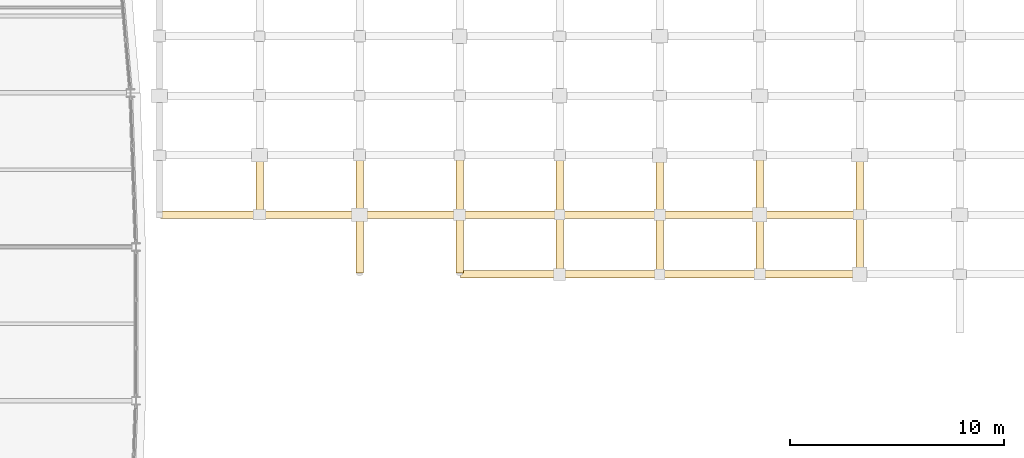
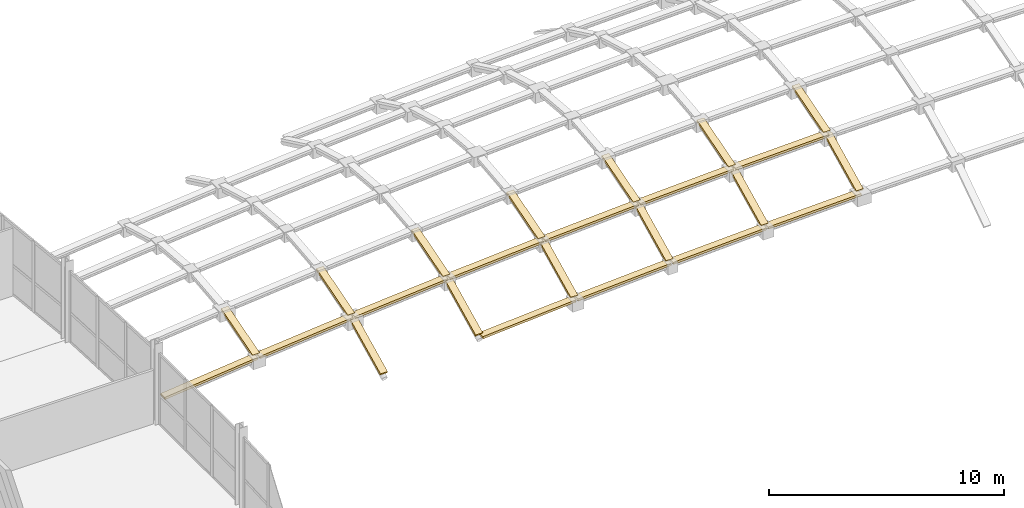
# One storey, part 31 of 36: 24 coverings.
"""IFC4 building model written with IfcOpenShell, lengths in metres."""

from ifc_helpers import new_model, si_unit, direction, frame, origin, place, context, subcontext, project, spatial, polyline, outline, extrude, material, layer, layer_set, type_object, element, save


model = new_model("IFC4")

# Units and contexts
model_context = context("Model", 3, precision=1e-05, world=origin(), true_north=direction((0.0, 1.0)))
body_context = subcontext(model_context, "Body", "Model", "MODEL_VIEW")
ifc_project = project(units=[si_unit("LENGTHUNIT", "METRE"), si_unit("AREAUNIT", "SQUARE_METRE"), si_unit("VOLUMEUNIT", "CUBIC_METRE"), si_unit("PLANEANGLEUNIT", "RADIAN"), si_unit("MASSUNIT", "GRAM", prefix="KILO")], contexts=[model_context])

# Site, building, storey
site_placement = place(None, origin())
site = spatial("IfcSite", under=ifc_project, at=site_placement, CompositionType="ELEMENT")
building_placement = place(site_placement, origin())
building = spatial("IfcBuilding", under=site, at=building_placement, Name="Quillay Park Conservatory", CompositionType="ELEMENT")
storey_placement = place(building_placement, frame((0.0, 0.0, 18.300048828125)))
storey = spatial("IfcBuildingStorey", under=building, at=storey_placement, Name="L04", CompositionType="ELEMENT", Elevation=18.300048828125)

# Coverings
ifc_material = material(Name="Thermally Broken Anodised Aluminium 6063-T6", Category="aluminium")
ifc_layer = layer(ifc_material, 0.090087890625)
ifc_layer_set = layer_set([ifc_layer], Name="GRIDSHELL GLAZING CAP BAR 90 (Thermally Broken Anodised Aluminium 6063-T6)")
covering_type = type_object("IfcCoveringType", Name="GRIDSHELL GLAZING CAP BAR 90", PredefinedType="CLADDING", material=ifc_layer_set)
covering_1_placement = place(storey_placement, frame((35.15283203125, 93.955078125, 0.55810546875), z_axis=(0.0, -0.285820564514, 0.958283154866), x_axis=(1.0, 0.0, 0.0)))
element("IfcCovering", 1, at=covering_1_placement, inside=storey, type_object=covering_type, Name="Gridshell Transverse Glazing Cap Bar 01-03", PredefinedType="CLADDING", context=body_context, shape_type="SweptSolid", body=[
    extrude(outline(polyline([(0.0, 0.0), (0.349853515625, 0.0), (0.349853515625, 2.801692213299037), (0.0, 2.801692213299037), (0.0, 0.0)])), origin(), (0.0, 0.0, -1.0), 0.1201171875),
])
covering_2_placement = place(storey_placement, frame((39.83056640625, 91.169921875, -0.36376953125), z_axis=(0.0, -0.441263645499, 0.897377509837), x_axis=(1.0, 0.0, 0.0)))
element("IfcCovering", 2, at=covering_2_placement, inside=storey, type_object=covering_type, Name="Gridshell Transverse Glazing Cap Bar 02-02", PredefinedType="CLADDING", context=body_context, shape_type="SweptSolid", body=[
    extrude(outline(polyline([(0.0, 0.0), (0.35009765625, 0.0), (0.35009765625, 2.9921171015732284), (0.0, 2.9921171015732284), (0.0, 0.0)])), origin(), (0.0, 0.0, -1.0), 0.1201171875),
])
covering_3_placement = place(storey_placement, frame((39.83056640625, 93.955078125, 0.99560546875), z_axis=(0.0, -0.285820564514, 0.958283154866), x_axis=(1.0, 0.0, 0.0)))
element("IfcCovering", 3, at=covering_3_placement, inside=storey, type_object=covering_type, Name="Gridshell Transverse Glazing Cap Bar 02-03", PredefinedType="CLADDING", context=body_context, shape_type="SweptSolid", body=[
    extrude(outline(polyline([(0.0, 0.0), (0.35009765625, 0.0), (0.35009765625, 2.8016922132990367), (0.0, 2.8016922132990367), (0.0, 0.0)])), origin(), (0.0, 0.0, -1.0), 0.1201171875),
])
covering_4_placement = place(storey_placement, frame((44.50830078125, 91.169921875, 0.01513671875), z_axis=(0.0, -0.441263645499, 0.897377509837), x_axis=(1.0, 0.0, 0.0)))
element("IfcCovering", 4, at=covering_4_placement, inside=storey, type_object=covering_type, Name="Gridshell Transverse Glazing Cap Bar 03-02", PredefinedType="CLADDING", context=body_context, shape_type="SweptSolid", body=[
    extrude(outline(polyline([(0.0, 0.0), (0.35009765625, 0.0), (0.35009765625, 2.9921171015732284), (0.0, 2.9921171015732284), (0.0, 0.0)])), origin(), (0.0, 0.0, -1.0), 0.1201171875),
])
covering_5_placement = place(storey_placement, frame((44.50830078125, 93.955078125, 1.37451171875), z_axis=(0.0, -0.285820564514, 0.958283154866), x_axis=(1.0, 0.0, 0.0)))
element("IfcCovering", 5, at=covering_5_placement, inside=storey, type_object=covering_type, Name="Gridshell Transverse Glazing Cap Bar 03-03", PredefinedType="CLADDING", context=body_context, shape_type="SweptSolid", body=[
    extrude(outline(polyline([(0.0, 0.0), (0.35009765625, 0.0), (0.35009765625, 2.8016922132990367), (0.0, 2.8016922132990367), (0.0, 0.0)])), origin(), (0.0, 0.0, -1.0), 0.1201171875),
])
covering_6_placement = place(storey_placement, frame((49.18603515625, 91.169921875, 0.33544921875), z_axis=(0.0, -0.441263645499, 0.897377509837), x_axis=(1.0, 0.0, 0.0)))
element("IfcCovering", 6, at=covering_6_placement, inside=storey, type_object=covering_type, Name="Gridshell Transverse Glazing Cap Bar 04-02", PredefinedType="CLADDING", context=body_context, shape_type="SweptSolid", body=[
    extrude(outline(polyline([(0.0, 0.0), (0.35009765625, 0.0), (0.35009765625, 2.9921171015732284), (0.0, 2.9921171015732284), (0.0, 0.0)])), origin(), (0.0, 0.0, -1.0), 0.1201171875),
])
covering_7_placement = place(storey_placement, frame((49.18603515625, 93.955078125, 1.69482421875), z_axis=(0.0, -0.285820564514, 0.958283154866), x_axis=(1.0, 0.0, 0.0)))
element("IfcCovering", 7, at=covering_7_placement, inside=storey, type_object=covering_type, Name="Gridshell Transverse Glazing Cap Bar 04-03", PredefinedType="CLADDING", context=body_context, shape_type="SweptSolid", body=[
    extrude(outline(polyline([(0.0, 0.0), (0.35009765625, 0.0), (0.35009765625, 2.8016922132990367), (0.0, 2.8016922132990367), (0.0, 0.0)])), origin(), (0.0, 0.0, -1.0), 0.1201171875),
])
covering_8_placement = place(storey_placement, frame((53.864013671875, 91.169921875, 0.59716796875), z_axis=(0.0, -0.441263645499, 0.897377509837), x_axis=(1.0, 0.0, 0.0)))
element("IfcCovering", 8, at=covering_8_placement, inside=storey, type_object=covering_type, Name="Gridshell Transverse Glazing Cap Bar 05-02", PredefinedType="CLADDING", context=body_context, shape_type="SweptSolid", body=[
    extrude(outline(polyline([(0.0, 0.0), (0.349853515625, 0.0), (0.349853515625, 2.9921171015732284), (0.0, 2.9921171015732284), (0.0, 0.0)])), origin(), (0.0, 0.0, -1.0), 0.1201171875),
])
covering_9_placement = place(storey_placement, frame((53.864013671875, 93.955078125, 1.95654296875), z_axis=(0.0, -0.285820564514, 0.958283154866), x_axis=(1.0, 0.0, 0.0)))
element("IfcCovering", 9, at=covering_9_placement, inside=storey, type_object=covering_type, Name="Gridshell Transverse Glazing Cap Bar 05-03", PredefinedType="CLADDING", context=body_context, shape_type="SweptSolid", body=[
    extrude(outline(polyline([(0.0, 0.0), (0.349853515625, 0.0), (0.349853515625, 2.801692213299037), (0.0, 2.801692213299037), (0.0, 0.0)])), origin(), (0.0, 0.0, -1.0), 0.1201171875),
])
covering_10_placement = place(storey_placement, frame((58.541748046875, 91.169921875, 0.80029296875), z_axis=(0.0, -0.441263645499, 0.897377509837), x_axis=(1.0, 0.0, 0.0)))
element("IfcCovering", 10, at=covering_10_placement, inside=storey, type_object=covering_type, Name="Gridshell Transverse Glazing Cap Bar 06-02", PredefinedType="CLADDING", context=body_context, shape_type="SweptSolid", body=[
    extrude(outline(polyline([(0.0, 0.0), (0.349853515625, 0.0), (0.349853515625, 2.9921171015732284), (0.0, 2.9921171015732284), (0.0, 0.0)])), origin(), (0.0, 0.0, -1.0), 0.1201171875),
])
covering_11_placement = place(storey_placement, frame((58.541748046875, 93.955078125, 2.15966796875), z_axis=(0.0, -0.285820564514, 0.958283154866), x_axis=(1.0, 0.0, 0.0)))
element("IfcCovering", 11, at=covering_11_placement, inside=storey, type_object=covering_type, Name="Gridshell Transverse Glazing Cap Bar 06-03", PredefinedType="CLADDING", context=body_context, shape_type="SweptSolid", body=[
    extrude(outline(polyline([(0.0, 0.0), (0.349853515625, 0.0), (0.349853515625, 2.801692213299037), (0.0, 2.801692213299037), (0.0, 0.0)])), origin(), (0.0, 0.0, -1.0), 0.1201171875),
])
covering_12_placement = place(storey_placement, frame((63.219482421875, 91.169921875, 0.94873046875), z_axis=(0.0, -0.441263645499, 0.897377509837), x_axis=(1.0, 0.0, 0.0)))
element("IfcCovering", 12, at=covering_12_placement, inside=storey, type_object=covering_type, Name="Gridshell Transverse Glazing Cap Bar 07-02", PredefinedType="CLADDING", context=body_context, shape_type="SweptSolid", body=[
    extrude(outline(polyline([(0.0, 0.0), (0.349853515625, 0.0), (0.349853515625, 2.9921171015732284), (0.0, 2.9921171015732284), (0.0, 0.0)])), origin(), (0.0, 0.0, -1.0), 0.1201171875),
])
covering_13_placement = place(storey_placement, frame((63.219482421875, 93.955078125, 2.30810546875), z_axis=(0.0, -0.285820564514, 0.958283154866), x_axis=(1.0, 0.0, 0.0)))
element("IfcCovering", 13, at=covering_13_placement, inside=storey, type_object=covering_type, Name="Gridshell Transverse Glazing Cap Bar 07-03", PredefinedType="CLADDING", context=body_context, shape_type="SweptSolid", body=[
    extrude(outline(polyline([(0.0, 0.0), (0.349853515625, 0.0), (0.349853515625, 2.801692213299037), (0.0, 2.801692213299037), (0.0, 0.0)])), origin(), (0.0, 0.0, -1.0), 0.1201171875),
])
covering_14_placement = place(storey_placement, frame((44.7333984375, 90.945068359375, -0.01220703125), z_axis=(-0.068108147653, 0.0, 0.99767794414), x_axis=(0.99767794414, 0.0, 0.068108147653)))
element("IfcCovering", 14, at=covering_14_placement, inside=storey, type_object=covering_type, Name="Gridshell Longitudinal Glazing Cap Bar 03-02", PredefinedType="CLADDING", context=body_context, shape_type="SweptSolid", body=[
    extrude(outline(polyline([(0.0, 0.0), (4.588290986723518, 0.0), (4.588290986723518, 0.349853515625), (0.0, 0.349853515625), (0.0, 0.0)])), origin(), (0.0, 0.0, -1.0), 0.1201171875),
])
covering_15_placement = place(storey_placement, frame((49.4111328125, 90.945068359375, 0.30810546875), z_axis=(-0.056227900695, 0.0, 0.998417960167), x_axis=(0.998417960167, 0.0, 0.056227900695)))
element("IfcCovering", 15, at=covering_15_placement, inside=storey, type_object=covering_type, Name="Gridshell Longitudinal Glazing Cap Bar 04-02", PredefinedType="CLADDING", context=body_context, shape_type="SweptSolid", body=[
    extrude(outline(polyline([(0.0, 0.0), (4.585134725151295, 0.0), (4.585134725151295, 0.349853515625), (0.0, 0.349853515625), (0.0, 0.0)])), origin(), (0.0, 0.0, -1.0), 0.1201171875),
])
covering_16_placement = place(storey_placement, frame((54.0888671875, 90.945068359375, 0.56982421875), z_axis=(-0.043476530855, 0.0, 0.999054448599), x_axis=(0.999054448599, 0.0, 0.043476530855)))
element("IfcCovering", 16, at=covering_16_placement, inside=storey, type_object=covering_type, Name="Gridshell Longitudinal Glazing Cap Bar 05-02", PredefinedType="CLADDING", context=body_context, shape_type="SweptSolid", body=[
    extrude(outline(polyline([(0.0, 0.0), (4.582213577844616, 0.0), (4.582213577844616, 0.349853515625), (0.0, 0.349853515625), (0.0, 0.0)])), origin(), (0.0, 0.0, -1.0), 0.1201171875),
])
covering_17_placement = place(storey_placement, frame((58.7666015625, 90.945068359375, 0.77294921875), z_axis=(-0.030703878741, 0.0, 0.999528524771), x_axis=(0.999528524771, 0.0, 0.030703878741)))
element("IfcCovering", 17, at=covering_17_placement, inside=storey, type_object=covering_type, Name="Gridshell Longitudinal Glazing Cap Bar 06-02", PredefinedType="CLADDING", context=body_context, shape_type="SweptSolid", body=[
    extrude(outline(polyline([(0.0, 0.0), (4.580040234894994, 0.0), (4.580040234894994, 0.349853515625), (0.0, 0.349853515625), (0.0, 0.0)])), origin(), (0.0, 0.0, -1.0), 0.1201171875),
])
covering_18_placement = place(storey_placement, frame((30.699951171875, 93.72998046875, 0.05029296875), z_axis=(-0.105220344611, 0.0, 0.994448932364), x_axis=(0.994448932364, 0.0, 0.105220344611)))
element("IfcCovering", 18, at=covering_18_placement, inside=storey, type_object=covering_type, Name="Gridshell Longitudinal Glazing Cap Bar 00-03", PredefinedType="CLADDING", context=body_context, shape_type="SweptSolid", body=[
    extrude(outline(polyline([(0.0, 0.0), (4.603434837516112, 0.0), (4.603434837516112, 0.35009765625), (0.0, 0.35009765625), (0.0, 0.0)])), origin(), (0.0, 0.0, -1.0), 0.1201171875),
])
covering_19_placement = place(storey_placement, frame((35.377685546875, 93.72998046875, 0.54248046875), z_axis=(-0.093450911608, 0.0, 0.995623888383), x_axis=(0.995623888383, 0.0, 0.093450911608)))
element("IfcCovering", 19, at=covering_19_placement, inside=storey, type_object=covering_type, Name="Gridshell Longitudinal Glazing Cap Bar 01-03", PredefinedType="CLADDING", context=body_context, shape_type="SweptSolid", body=[
    extrude(outline(polyline([(0.0, 0.0), (4.5980022303483326, 0.0), (4.5980022303483326, 0.35009765624999994), (0.0, 0.35009765624999994), (0.0, 0.0)])), origin(), (0.0, 0.0, -1.0), 0.1201171875),
])
covering_20_placement = place(storey_placement, frame((40.0556640625, 93.72998046875, 0.97998046875), z_axis=(-0.080801595311, 0.0, 0.996730205319), x_axis=(0.996730205319, 0.0, 0.080801595311)))
element("IfcCovering", 20, at=covering_20_placement, inside=storey, type_object=covering_type, Name="Gridshell Longitudinal Glazing Cap Bar 02-03", PredefinedType="CLADDING", context=body_context, shape_type="SweptSolid", body=[
    extrude(outline(polyline([(0.0, 0.0), (4.592653753565289, 0.0), (4.592653753565289, 0.35009765625), (0.0, 0.35009765625), (0.0, 0.0)])), origin(), (0.0, 0.0, -1.0), 0.1201171875),
])
covering_21_placement = place(storey_placement, frame((44.7333984375, 93.72998046875, 1.35888671875), z_axis=(-0.068108147653, 0.0, 0.99767794414), x_axis=(0.99767794414, 0.0, 0.068108147653)))
element("IfcCovering", 21, at=covering_21_placement, inside=storey, type_object=covering_type, Name="Gridshell Longitudinal Glazing Cap Bar 03-03", PredefinedType="CLADDING", context=body_context, shape_type="SweptSolid", body=[
    extrude(outline(polyline([(0.0, 0.0), (4.588290986723518, 0.0), (4.588290986723518, 0.35009765625), (0.0, 0.35009765625), (0.0, 0.0)])), origin(), (0.0, 0.0, -1.0), 0.1201171875),
])
covering_22_placement = place(storey_placement, frame((49.4111328125, 93.72998046875, 1.67919921875), z_axis=(-0.056227900695, 0.0, 0.998417960167), x_axis=(0.998417960167, 0.0, 0.056227900695)))
element("IfcCovering", 22, at=covering_22_placement, inside=storey, type_object=covering_type, Name="Gridshell Longitudinal Glazing Cap Bar 04-03", PredefinedType="CLADDING", context=body_context, shape_type="SweptSolid", body=[
    extrude(outline(polyline([(0.0, 0.0), (4.585134725151295, 0.0), (4.585134725151295, 0.35009765625), (0.0, 0.35009765625), (0.0, 0.0)])), origin(), (0.0, 0.0, -1.0), 0.1201171875),
])
covering_23_placement = place(storey_placement, frame((54.0888671875, 93.72998046875, 1.94091796875), z_axis=(-0.043476530855, 0.0, 0.999054448599), x_axis=(0.999054448599, 0.0, 0.043476530855)))
element("IfcCovering", 23, at=covering_23_placement, inside=storey, type_object=covering_type, Name="Gridshell Longitudinal Glazing Cap Bar 05-03", PredefinedType="CLADDING", context=body_context, shape_type="SweptSolid", body=[
    extrude(outline(polyline([(0.0, 0.0), (4.582213577844616, 0.0), (4.582213577844616, 0.35009765625000006), (0.0, 0.35009765625000006), (0.0, 0.0)])), origin(), (0.0, 0.0, -1.0), 0.1201171875),
])
covering_24_placement = place(storey_placement, frame((58.7666015625, 93.72998046875, 2.14404296875), z_axis=(-0.030703878741, 0.0, 0.999528524771), x_axis=(0.999528524771, 0.0, 0.030703878741)))
element("IfcCovering", 24, at=covering_24_placement, inside=storey, type_object=covering_type, Name="Gridshell Longitudinal Glazing Cap Bar 06-03", PredefinedType="CLADDING", context=body_context, shape_type="SweptSolid", body=[
    extrude(outline(polyline([(0.0, 0.0), (4.580040234894994, 0.0), (4.580040234894994, 0.35009765625), (0.0, 0.35009765625), (0.0, 0.0)])), origin(), (0.0, 0.0, -1.0), 0.1201171875),
])

save(model, "model.ifc")
